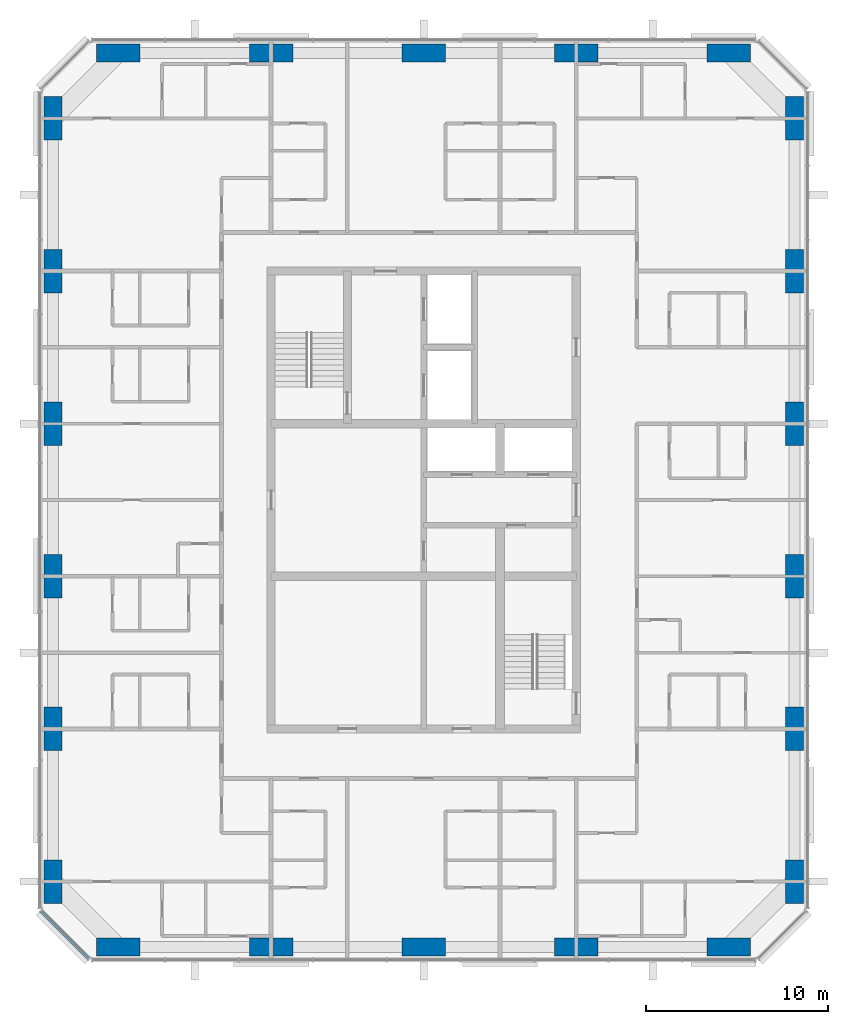
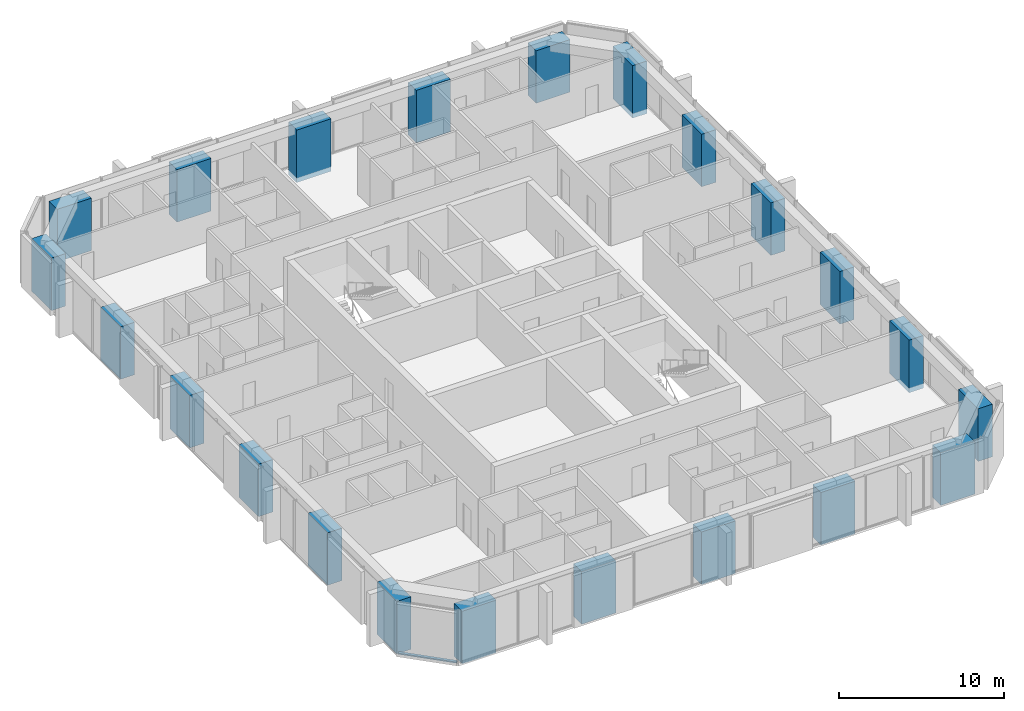
# One storey, part 1 of 12: 22 columns, 1 member, 1 element without a shape of its own.
"""IFC4 building model written with IfcOpenShell, lengths in metres."""

from ifc_helpers import new_model, si_unit, direction, frame, origin, origin_2d, place, context, subcontext, project, spatial, rectangle, extrude, material, material_profile, profile_set, type_object, element, aggregate, save


model = new_model("IFC4")

# Units and contexts
model_context = context("Model", 3, precision=1e-05, world=origin(), true_north=direction((0.0, 1.0)))
body_context = subcontext(model_context, "Body", "Model", "MODEL_VIEW")
ifc_project = project(units=[si_unit("LENGTHUNIT", "METRE"), si_unit("AREAUNIT", "SQUARE_METRE"), si_unit("VOLUMEUNIT", "CUBIC_METRE"), si_unit("PLANEANGLEUNIT", "RADIAN"), si_unit("MASSUNIT", "GRAM", prefix="KILO")], contexts=[model_context])

# Site, building, storey
site_placement = place(None, origin())
site = spatial("IfcSite", under=ifc_project, at=site_placement, CompositionType="ELEMENT")
building_placement = place(site_placement, origin())
building = spatial("IfcBuilding", under=site, at=building_placement, Name="Dunama Terrace Hotel", CompositionType="ELEMENT")
storey_placement = place(building_placement, frame((0.0, 0.0, 268.5)))
storey = spatial("IfcBuildingStorey", under=building, at=storey_placement, Name="L69", CompositionType="ELEMENT", Elevation=268.5)

# Columns
ifc_material_1 = material(Name="Concrete C50/60", Category="concrete")
ifc_material_profile_1 = material_profile(ifc_material_1, rectangle(XDim=1.0, YDim=2.39990234375, at=origin_2d()), Name="RC 1000x2400")
ifc_profile_set_1 = profile_set([ifc_material_profile_1], Name="Concrete C50/60")
column_type_1 = type_object("IfcColumnType", Name="Column RC 1000x2400", PredefinedType="COLUMN", material=ifc_profile_set_1)
for number, where, z_axis, x_axis, name in (
    (1, (13.199951171875, 8.39990234375, -0.35009765625), (0.0, 0.0, 1.0), (1.0, 0.0, 0.0), "Column L69 +13.2/+8.4"),
    (2, (13.199951171875, 16.800048828125, -0.35009765625), (0.0, 0.0, 1.0), (1.0, 0.0, 0.0), "Column L69 +13.2/+16.8"),
    (3, (13.199951171875, 25.199951171875, -0.35009765625), (0.0, 0.0, 1.0), (1.0, 0.0, 0.0), "Column L69 +13.2/+25.2"),
    (4, (13.199951171875, 33.60009765625, -0.35009765625), (0.0, 0.0, 1.0), (1.0, 0.0, 0.0), "Column L69 +13.2/+33.6"),
    (5, (13.199951171875, 42.0, -0.35009765625), (0.0, 0.0, 1.0), (1.0, 0.0, 0.0), "Column L69 +13.2/+42.0"),
    (6, (13.199951171875, 50.39990234375, -0.35009765625), (0.0, 0.0, 1.0), (1.0, 0.0, 0.0), "Column L69 +13.2/+50.4"),
    (7, (54.0, 8.39990234375, -0.35009765625), (0.0, 0.0, 1.0), (1.0, 0.0, 0.0), "Column L69 +54.0/+8.4"),
    (8, (54.0, 16.800048828125, -0.35009765625), (0.0, 0.0, 1.0), (1.0, 0.0, 0.0), "Column L69 +54.0/+16.8"),
    (9, (54.0, 25.199951171875, -0.35009765625), (0.0, 0.0, 1.0), (1.0, 0.0, 0.0), "Column L69 +54.0/+25.2"),
    (10, (54.0, 33.60009765625, -0.35009765625), (0.0, 0.0, 1.0), (1.0, 0.0, 0.0), "Column L69 +54.0/+33.6"),
    (11, (54.0, 42.0, -0.35009765625), (0.0, 0.0, 1.0), (1.0, 0.0, 0.0), "Column L69 +54.0/+42.0"),
    (12, (54.0, 50.39990234375, -0.35009765625), (0.0, 0.0, 1.0), (1.0, 0.0, 0.0), "Column L69 +54.0/+50.4"),
):
    element("IfcColumn", number, at=place(storey_placement, frame(where, z_axis=z_axis, x_axis=x_axis)), inside=storey, type_object=column_type_1, Name=name, PredefinedType="COLUMN", context=body_context, shape_type="SweptSolid", body=[
        extrude(rectangle(XDim=1.0, YDim=2.39990234375, at=origin_2d()), origin(), (0.0, 0.0, 1.0), 3.900146484375),
    ])
ifc_material_2 = material(Name="Concrete C50/60", Category="concrete")
ifc_material_profile_2 = material_profile(ifc_material_2, rectangle(XDim=2.39990234375, YDim=1.0, at=origin_2d()), Name="RC 2400x1000")
ifc_profile_set_2 = profile_set([ifc_material_profile_2], Name="Concrete C50/60")
column_type_2 = type_object("IfcColumnType", Name="Column RC 2400x1000", PredefinedType="COLUMN", material=ifc_profile_set_2)
for number, where, z_axis, x_axis, name in (
    (13, (16.800048828125, 4.800048828125, -0.35009765625), (0.0, 0.0, 1.0), (1.0, 0.0, 0.0), "Column L69 +16.8/+4.8"),
    (14, (16.800048828125, 54.0, -0.35009765625), (0.0, 0.0, 1.0), (1.0, 0.0, 0.0), "Column L69 +16.8/+54.0"),
    (15, (25.199951171875, 4.800048828125, -0.35009765625), (0.0, 0.0, 1.0), (1.0, 0.0, 0.0), "Column L69 +25.2/+4.8"),
    (16, (25.199951171875, 54.0, -0.35009765625), (0.0, 0.0, 1.0), (1.0, 0.0, 0.0), "Column L69 +25.2/+54.0"),
    (17, (33.60009765625, 4.800048828125, -0.35009765625), (0.0, 0.0, 1.0), (1.0, 0.0, 0.0), "Column L69 +33.6/+4.8"),
    (18, (33.60009765625, 54.0, -0.35009765625), (0.0, 0.0, 1.0), (1.0, 0.0, 0.0), "Column L69 +33.6/+54.0"),
    (19, (42.0, 4.800048828125, -0.35009765625), (0.0, 0.0, 1.0), (1.0, 0.0, 0.0), "Column L69 +42.0/+4.8"),
    (20, (42.0, 54.0, -0.35009765625), (0.0, 0.0, 1.0), (1.0, 0.0, 0.0), "Column L69 +42.0/+54.0"),
    (21, (50.39990234375, 4.800048828125, -0.35009765625), (0.0, 0.0, 1.0), (1.0, 0.0, 0.0), "Column L69 +50.4/+4.8"),
    (22, (50.39990234375, 54.0, -0.35009765625), (0.0, 0.0, 1.0), (1.0, 0.0, 0.0), "Column L69 +50.4/+54.0"),
):
    element("IfcColumn", number, at=place(storey_placement, frame(where, z_axis=z_axis, x_axis=x_axis)), inside=storey, type_object=column_type_2, Name=name, PredefinedType="COLUMN", context=body_context, shape_type="SweptSolid", body=[
        extrude(rectangle(XDim=2.39990234375, YDim=1.0, at=origin_2d()), origin(), (0.0, 0.0, 1.0), 3.900146484375),
    ])

# Curtain wall, member
ifc_material_3 = material(Name="Aluminium curtain wall system", Category="aluminium")
curtain_wall_type = type_object("IfcCurtainWallType", Name="Unitised fritted glass wall CW-D", PredefinedType="NOTDEFINED", material=ifc_material_3)
curtain_wall_placement = place(storey_placement, origin())
curtain_wall = element("IfcCurtainWall", 23, at=curtain_wall_placement, inside=storey, type_object=curtain_wall_type, Name="Unitised fritted glass wall CW-D L69", PredefinedType="NOTDEFINED")
ifc_material_4 = material(Name="Aluminium transom", Category="aluminium")
ifc_material_profile_3 = material_profile(ifc_material_4, rectangle(XDim=0.199951171875, YDim=0.0849609375, at=origin_2d()), Name="CWD TRANSOM 200X85")
ifc_profile_set_3 = profile_set([ifc_material_profile_3], Name="Aluminium transom")
member_type = type_object("IfcMemberType", Name="CWD transom 200x85", PredefinedType="USERDEFINED", material=ifc_profile_set_3)
member_placement = place(storey_placement, frame((12.56494140625, 6.76611328125, 0.04248046875), z_axis=(0.707106781187, -0.707106781187, 0.0), x_axis=(0.707106781187, 0.707106781187, 0.0)))
member = element("IfcMember", 24, at=member_placement, type_object=member_type, Name="CWD transom", ObjectType="TRANSOM", PredefinedType="USERDEFINED", context=body_context, shape_type="SweptSolid", body=[
    extrude(rectangle(XDim=0.199951171875, YDim=0.0849609375, at=origin_2d()), origin(), (0.0, 0.0, 1.0), 3.678466796875),
])
aggregate(curtain_wall, [member])

save(model, "model.ifc")
